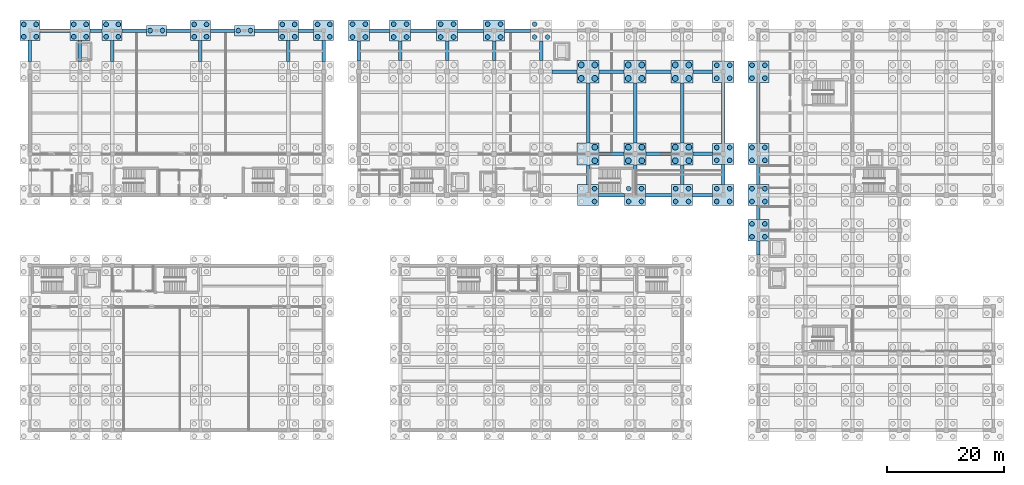
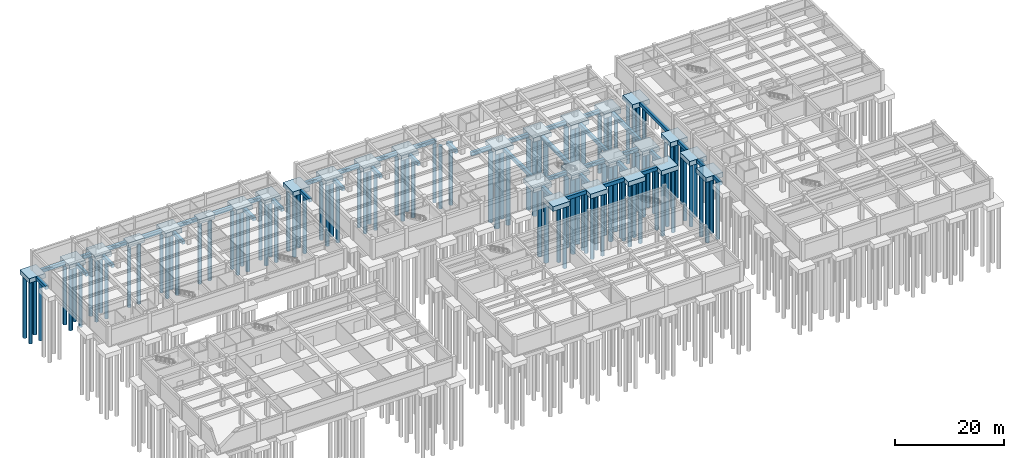
# One storey, part 5 of 28: 107 piles, 72 footings.
"""IFC4 building model written with IfcOpenShell, lengths in metres."""

import ifcopenshell
import ifcopenshell.guid

model = None  # the IFC model being written
_history = None  # IfcOwnerHistory: only IFC2X3 demands one
_inside = {}  # id of a spatial element -> (the spatial element, [elements in it])
_under = {}  # id of a project, library or spatial element -> (it, [spatial elements below it])
_declared = {}  # id of a project -> (the project, [libraries it declares])
_typed = {}  # id of a type object -> (the type object, [elements of that type])
_made_of = {}  # id of a material, layer set ... -> (it, [elements and type objects made of it])


def new_model(schema):
    """Start an empty IFC model of exactly this schema.

    Asked for "IFC4X3", IfcOpenShell would pick the latest addendum, in which some entities
    have other attributes; the version numbers below select the first issue.
    IFC2X3 requires an IfcOwnerHistory on every rooted entity: one is made here for all.
    """
    global model, _history
    if schema == "IFC4X3":
        model = ifcopenshell.file(schema_version=(4, 3, 0, 0))
    else:
        model = ifcopenshell.file(schema=schema)
    _inside.clear()
    _under.clear()
    _declared.clear()
    _typed.clear()
    _made_of.clear()
    _history = None
    if model.schema == "IFC2X3":
        org = make("IfcOrganization", Name="unknown")
        user = make(
            "IfcPersonAndOrganization",
            ThePerson=make("IfcPerson", FamilyName="unknown"),
            TheOrganization=org,
        )
        app = make(
            "IfcApplication",
            ApplicationDeveloper=org,
            Version="unknown",
            ApplicationFullName="unknown",
            ApplicationIdentifier="unknown",
        )
        _history = make(
            "IfcOwnerHistory",
            OwningUser=user,
            OwningApplication=app,
            ChangeAction="ADDED",
            CreationDate=0,
        )
    return model


def make(cls, **values):
    """One entity of the class cls with the attributes given. An attribute that is None is left unset."""
    return model.create_entity(
        cls, **{name: value for name, value in values.items() if value is not None}
    )


def rooted(cls, **values):
    """An entity with a GlobalId (a new one), such as an element, a storey or a relation."""
    return make(cls, GlobalId=ifcopenshell.guid.new(), OwnerHistory=_history, **values)


def si_unit(unit_type, name, prefix=None):
    """IfcSIUnit, for example si_unit("LENGTHUNIT", "METRE", prefix="MILLI")."""
    return make("IfcSIUnit", UnitType=unit_type, Prefix=prefix, Name=name)


def assignment(units):
    """IfcUnitAssignment: the units of a project."""
    return None if units is None else make("IfcUnitAssignment", Units=units)


def point(xyz):
    """IfcCartesianPoint."""
    return None if xyz is None else make("IfcCartesianPoint", Coordinates=xyz)


def direction(xyz):
    """IfcDirection."""
    return None if xyz is None else make("IfcDirection", DirectionRatios=xyz)


def frame(location, z_axis=None, x_axis=None):
    """IfcAxis2Placement3D, a coordinate frame: its origin and axes. An axis left out is left unset."""
    return make(
        "IfcAxis2Placement3D",
        Location=point(location),
        Axis=direction(z_axis),
        RefDirection=direction(x_axis),
    )


def frame_2d(location, x_axis=None):
    """IfcAxis2Placement2D, a coordinate frame in the plane: its origin and x axis."""
    return make(
        "IfcAxis2Placement2D", Location=point(location), RefDirection=direction(x_axis)
    )


def origin():
    """The frame at (0, 0, 0) with its axes left unset."""
    return frame((0.0, 0.0, 0.0))


def origin_2d():
    """The frame at (0, 0) in the plane with its x axis left unset."""
    return frame_2d((0.0, 0.0))


def place(relative_to, where):
    """IfcLocalPlacement: puts the frame where relative to a parent placement (None: the world)."""
    return make(
        "IfcLocalPlacement", PlacementRelTo=relative_to, RelativePlacement=where
    )


def context(
    kind, dimensions, precision=None, world=None, true_north=None, identifier=None
):
    """IfcGeometricRepresentationContext, for example the 3D "Model" context."""
    return make(
        "IfcGeometricRepresentationContext",
        ContextIdentifier=identifier,
        ContextType=kind,
        CoordinateSpaceDimension=dimensions,
        Precision=precision,
        WorldCoordinateSystem=world,
        TrueNorth=true_north,
    )


def subcontext(parent, identifier, kind, view, scale=None):
    """IfcGeometricRepresentationSubContext, for example "Body" below "Model"."""
    return make(
        "IfcGeometricRepresentationSubContext",
        ContextIdentifier=identifier,
        ContextType=kind,
        ParentContext=parent,
        TargetScale=scale,
        TargetView=view,
    )


def project(units=None, contexts=None):
    """IfcProject with its units and contexts."""
    return rooted(
        "IfcProject",
        Name="project",
        RepresentationContexts=contexts,
        UnitsInContext=assignment(units),
    )


def spatial(cls, under=None, at=None, **own):
    """A site, building, storey or space (cls), placed at a placement, below another one or the project."""
    s = rooted(cls, ObjectPlacement=at, **own)
    if under is not None:
        _under.setdefault(under.id(), (under, []))[1].append(s)
    return s


def profile(cls, at=None, kind="AREA", **sizes):
    """A parametric profile (cls). Its sizes go by their IFC names, for example OverallWidth=200.0."""
    return make(cls, ProfileType=kind, Position=at, **sizes)


def rectangle(**sizes):
    """IfcRectangleProfileDef."""
    return profile("IfcRectangleProfileDef", **sizes)


def circle(**sizes):
    """IfcCircleProfileDef."""
    return profile("IfcCircleProfileDef", **sizes)


def extrude(swept, where, along, depth):
    """IfcExtrudedAreaSolid: the profile swept, set in the frame where, extruded along a direction by depth."""
    return make(
        "IfcExtrudedAreaSolid",
        SweptArea=swept,
        Position=where,
        ExtrudedDirection=direction(along),
        Depth=depth,
    )


def shape(context_of_items, identifier, shape_type, items):
    """IfcShapeRepresentation: the items that make up one representation, for example the "Body"."""
    return make(
        "IfcShapeRepresentation",
        ContextOfItems=context_of_items,
        RepresentationIdentifier=identifier,
        RepresentationType=shape_type,
        Items=items,
    )


def material(Name=None, Category=None):
    """IfcMaterial."""
    return make("IfcMaterial", Name=Name, Category=Category)


def material_profile(
    of_material, cross_section, Name=None, Category=None, Priority=None
):
    """IfcMaterialProfile: a cross section and its material."""
    return make(
        "IfcMaterialProfile",
        Name=Name,
        Material=of_material,
        Profile=cross_section,
        Priority=Priority,
        Category=Category,
    )


def profile_set(profiles, Name=None, composite=None):
    """IfcMaterialProfileSet."""
    return make(
        "IfcMaterialProfileSet",
        Name=Name,
        MaterialProfiles=profiles,
        CompositeProfile=composite,
    )


def made_of(thing, what):
    """Note that an element or type object is made of a material, layer set ...; save() writes the relation."""
    if what is not None:
        _made_of.setdefault(what.id(), (what, []))[1].append(thing)
    return thing


def type_object(cls, material=None, **own):
    """A type object (cls), such as IfcWallType, which elements share."""
    return made_of(rooted(cls, **own), material)


def element(
    cls,
    number,
    at=None,
    inside=None,
    cuts=None,
    type_object=None,
    material=None,
    context=None,
    identifier="Body",
    shape_type=None,
    held_by="IfcProductDefinitionShape",
    body=None,
    shapes=None,
    **own,
):
    """One element of the class cls, such as IfcWall. Its Tag is "e" and its number.

    at: its placement. inside: the storey or other place that contains it. cuts: it is an
    opening in that element (IfcRelVoidsElement). A single representation is given by context,
    identifier, shape_type and body (its items); several are given by shapes. held_by: the class
    of the entity that holds the representations. save() writes the other relations.
    """
    e = rooted(cls, Tag="e%d" % number, ObjectPlacement=at, **own)
    if body is not None:
        shapes = [shape(context, identifier, shape_type, body)]
    if shapes is not None:
        e.Representation = make(held_by, Representations=shapes)
    if inside is not None:
        _inside.setdefault(inside.id(), (inside, []))[1].append(e)
    if cuts is not None:
        rooted(
            "IfcRelVoidsElement", RelatingBuildingElement=cuts, RelatedOpeningElement=e
        )
    if type_object is not None:
        _typed.setdefault(type_object.id(), (type_object, []))[1].append(e)
    return made_of(e, material)


def aggregate(whole, parts):
    """IfcRelAggregates: a whole, such as a stair, and the parts it consists of."""
    return rooted("IfcRelAggregates", RelatingObject=whole, RelatedObjects=parts)


def save(model, path):
    """Write the relations noted so far, then the file.

    IfcRelAggregates (storeys below a building ...), IfcRelContainedInSpatialStructure (elements
    in a storey), IfcRelDefinesByType, IfcRelAssociatesMaterial and IfcRelDeclares: one each for
    every whole, place, type object, material and project.
    """
    for whole, parts in _under.values():
        aggregate(whole, parts)
    for where, things in _inside.values():
        rooted(
            "IfcRelContainedInSpatialStructure",
            RelatedElements=things,
            RelatingStructure=where,
        )
    for kind, things in _typed.values():
        rooted("IfcRelDefinesByType", RelatedObjects=things, RelatingType=kind)
    for what, things in _made_of.values():
        rooted("IfcRelAssociatesMaterial", RelatedObjects=things, RelatingMaterial=what)
    for by, libraries in _declared.values():
        rooted("IfcRelDeclares", RelatingContext=by, RelatedDefinitions=libraries)
    model.write(path)


model = new_model("IFC4")

# Units and contexts
model_context = context("Model", 3, precision=1e-05, world=origin(), true_north=direction((0.0, 1.0)))
body_context = subcontext(model_context, "Body", "Model", "MODEL_VIEW")
ifc_project = project(units=[si_unit("LENGTHUNIT", "METRE"), si_unit("AREAUNIT", "SQUARE_METRE"), si_unit("VOLUMEUNIT", "CUBIC_METRE"), si_unit("PLANEANGLEUNIT", "RADIAN"), si_unit("MASSUNIT", "GRAM", prefix="KILO")], contexts=[model_context])

# Site, building, storey
site_placement = place(None, origin())
site = spatial("IfcSite", under=ifc_project, at=site_placement, CompositionType="ELEMENT")
building_placement = place(site_placement, origin())
building = spatial("IfcBuilding", under=site, at=building_placement, Name="Naurynzar Civic Courthouse", CompositionType="ELEMENT")
storey_placement = place(building_placement, frame((0.0, 0.0, -4.5)))
storey = spatial("IfcBuildingStorey", under=building, at=storey_placement, Name="B01", CompositionType="ELEMENT", Elevation=-4.5)

# Footings
ifc_material_1 = material(Name="Concrete C35/45", Category="concrete")
footing_type_1 = type_object("IfcFootingType", Name="CAP-2A-3400x1800", PredefinedType="PILE_CAP", material=ifc_material_1)
for number, where, z_axis, x_axis, name in (
    (1, (27.5, 72.0, -1.39990234375), (0.0, 0.0, 1.0), (1.0, 0.0, 0.0), "V1 pile cap 25"),
    (2, (42.5, 72.0, -1.39990234375), (0.0, 0.0, 1.0), (1.0, 0.0, 0.0), "V1 pile cap 26"),
):
    element("IfcFooting", number, at=place(storey_placement, frame(where, z_axis=z_axis, x_axis=x_axis)), inside=storey, type_object=footing_type_1, Name=name, PredefinedType="PILE_CAP", context=body_context, shape_type="SweptSolid", body=[
        extrude(rectangle(XDim=3.39990234375, YDim=1.800048828125, at=origin_2d()), origin(), (0.0, 0.0, 1.0), 1.0),
    ])
ifc_material_2 = material(Name="Concrete C35/45", Category="concrete")
footing_type_2 = type_object("IfcFootingType", Name="CAP-4A-3400", PredefinedType="PILE_CAP", material=ifc_material_2)
for number, where, z_axis, x_axis, name in (
    (3, (6.0, 72.0, -1.39990234375), (0.0, 0.0, 1.0), (1.0, 0.0, 0.0), "V1 pile cap 4"),
    (4, (14.5, 72.0, -1.39990234375), (0.0, 0.0, 1.0), (1.0, 0.0, 0.0), "V1 pile cap 8"),
    (5, (20.0, 72.0, -1.39990234375), (0.0, 0.0, 1.0), (1.0, 0.0, 0.0), "V1 pile cap 12"),
    (6, (35.0, 72.0, -1.39990234375), (0.0, 0.0, 1.0), (1.0, 0.0, 0.0), "V1 pile cap 16"),
    (7, (50.0, 72.0, -1.39990234375), (0.0, 0.0, 1.0), (1.0, 0.0, 0.0), "V1 pile cap 20"),
    (8, (56.0, 72.0, -1.39990234375), (0.0, 0.0, 1.0), (1.0, 0.0, 0.0), "V1 pile cap 24"),
):
    element("IfcFooting", number, at=place(storey_placement, frame(where, z_axis=z_axis, x_axis=x_axis)), inside=storey, type_object=footing_type_2, Name=name, PredefinedType="PILE_CAP", context=body_context, shape_type="SweptSolid", body=[
        extrude(rectangle(XDim=3.39990234375, YDim=3.39990234375, at=origin_2d()), origin(), (0.0, 0.0, 1.0), 1.0),
    ])
ifc_material_3 = material(Name="Concrete C35/45", Category="concrete")
footing_type_3 = type_object("IfcFootingType", Name="CAP-4B-3800", PredefinedType="PILE_CAP", material=ifc_material_3)
for number, where, z_axis, x_axis, name in (
    (9, (101.0, 51.0, -1.449951171875), (0.0, 0.0, 1.0), (1.0, 0.0, 0.0), "V2 pile cap 22"),
    (10, (101.0, 65.0, -1.449951171875), (0.0, 0.0, 1.0), (1.0, 0.0, 0.0), "V2 pile cap 23"),
    (11, (109.0, 51.0, -1.449951171875), (0.0, 0.0, 1.0), (1.0, 0.0, 0.0), "V2 pile cap 26"),
    (12, (109.0, 65.0, -1.449951171875), (0.0, 0.0, 1.0), (1.0, 0.0, 0.0), "V2 pile cap 27"),
    (13, (117.0, 51.0, -1.449951171875), (0.0, 0.0, 1.0), (1.0, 0.0, 0.0), "V2 pile cap 30"),
    (14, (117.0, 65.0, -1.449951171875), (0.0, 0.0, 1.0), (1.0, 0.0, 0.0), "V2 pile cap 31"),
):
    element("IfcFooting", number, at=place(storey_placement, frame(where, z_axis=z_axis, x_axis=x_axis)), inside=storey, type_object=footing_type_3, Name=name, PredefinedType="PILE_CAP", context=body_context, shape_type="SweptSolid", body=[
        extrude(rectangle(XDim=3.800048828125, YDim=3.800048828125, at=origin_2d()), origin(), (0.0, 0.0, 1.0), 1.0),
    ])
ifc_material_4 = material(Name="Concrete C35/45", Category="concrete")
footing_type_4 = type_object("IfcFootingType", Name="CAP-4C-3600", PredefinedType="PILE_CAP", material=ifc_material_4)
for number, where, z_axis, x_axis, name in (
    (15, (62.0, 72.0, -1.5), (0.0, 0.0, 1.0), (1.0, 0.0, 0.0), "V2 pile cap 4"),
    (16, (69.0, 72.0, -1.5), (0.0, 0.0, 1.0), (1.0, 0.0, 0.0), "V2 pile cap 8"),
    (17, (77.0, 72.0, -1.5), (0.0, 0.0, 1.0), (1.0, 0.0, 0.0), "V2 pile cap 12"),
    (18, (85.0, 72.0, -1.5), (0.0, 0.0, 1.0), (1.0, 0.0, 0.0), "V2 pile cap 16"),
    (19, (101.0, 44.0, -1.5), (0.0, 0.0, 1.0), (1.0, 0.0, 0.0), "V2 pile cap 21"),
    (20, (109.0, 44.0, -1.5), (0.0, 0.0, 1.0), (1.0, 0.0, 0.0), "V2 pile cap 25"),
    (21, (117.0, 44.0, -1.5), (0.0, 0.0, 1.0), (1.0, 0.0, 0.0), "V2 pile cap 29"),
    (22, (124.0, 44.0, -1.5), (0.0, 0.0, 1.0), (1.0, 0.0, 0.0), "V2 pile cap 33"),
    (23, (124.0, 51.0, -1.5), (0.0, 0.0, 1.0), (1.0, 0.0, 0.0), "V2 pile cap 34"),
    (24, (124.0, 65.0, -1.5), (0.0, 0.0, 1.0), (1.0, 0.0, 0.0), "V2 pile cap 35"),
    (25, (130.0, 38.0, -1.5), (0.0, 0.0, 1.0), (1.0, 0.0, 0.0), "V5 pile cap 6"),
    (26, (130.0, 44.0, -1.5), (0.0, 0.0, 1.0), (1.0, 0.0, 0.0), "V5 pile cap 7"),
    (27, (130.0, 51.0, -1.5), (0.0, 0.0, 1.0), (1.0, 0.0, 0.0), "V5 pile cap 8"),
    (28, (130.0, 65.0, -1.5), (0.0, 0.0, 1.0), (1.0, 0.0, 0.0), "V5 pile cap 9"),
):
    element("IfcFooting", number, at=place(storey_placement, frame(where, z_axis=z_axis, x_axis=x_axis)), inside=storey, type_object=footing_type_4, Name=name, PredefinedType="PILE_CAP", context=body_context, shape_type="SweptSolid", body=[
        extrude(rectangle(XDim=3.60009765625, YDim=3.60009765625, at=origin_2d()), origin(), (0.0, 0.0, 1.0), 1.050048828125),
    ])
ifc_material_5 = material(Name="Concrete C35/45", Category="concrete")
ifc_material_profile_1 = material_profile(ifc_material_5, rectangle(XDim=0.60009765625, YDim=0.800048828125, at=origin_2d()), Name="GB 600x800")
ifc_profile_set_1 = profile_set([ifc_material_profile_1], Name="Concrete C35/45")
footing_type_5 = type_object("IfcFootingType", Name="GB-600x800", PredefinedType="FOOTING_BEAM", material=ifc_profile_set_1)
footing_1_placement = place(storey_placement, frame((7.699951171875, 72.0, -0.800048828125), z_axis=(1.0, 0.0, 0.0), x_axis=(0.0, 1.0, 0.0)))
element("IfcFooting", 29, at=footing_1_placement, inside=storey, type_object=footing_type_5, Name="V1 ground tie beam X-16", PredefinedType="FOOTING_BEAM", context=body_context, shape_type="SweptSolid", body=[
    extrude(rectangle(XDim=0.60009765625, YDim=0.800048828125, at=origin_2d()), origin(), (0.0, 0.0, 1.0), 5.10009765625),
])
footing_2_placement = place(storey_placement, frame((16.199951171875, 72.0, -0.800048828125), z_axis=(1.0, 0.0, 0.0), x_axis=(0.0, 1.0, 0.0)))
element("IfcFooting", 30, at=footing_2_placement, inside=storey, type_object=footing_type_5, Name="V1 ground tie beam X-17", PredefinedType="FOOTING_BEAM", context=body_context, shape_type="SweptSolid", body=[
    extrude(rectangle(XDim=0.60009765625, YDim=0.800048828125, at=origin_2d()), origin(), (0.0, 0.0, 1.0), 2.10009765625),
])
for number, where, z_axis, x_axis, name in (
    (31, (21.699951171875, 72.0, -0.800048828125), (1.0, 0.0, 0.0), (0.0, 1.0, 0.0), "V1 ground tie beam X-18"),
    (32, (29.199951171875, 72.0, -0.800048828125), (1.0, 0.0, 0.0), (0.0, 1.0, 0.0), "V1 ground tie beam X-19"),
    (33, (36.699951171875, 72.0, -0.800048828125), (1.0, 0.0, 0.0), (0.0, 1.0, 0.0), "V1 ground tie beam X-20"),
    (34, (44.199951171875, 72.0, -0.800048828125), (1.0, 0.0, 0.0), (0.0, 1.0, 0.0), "V1 ground tie beam X-21"),
):
    element("IfcFooting", number, at=place(storey_placement, frame(where, z_axis=z_axis, x_axis=x_axis)), inside=storey, type_object=footing_type_5, Name=name, PredefinedType="FOOTING_BEAM", context=body_context, shape_type="SweptSolid", body=[
        extrude(rectangle(XDim=0.60009765625, YDim=0.800048828125, at=origin_2d()), origin(), (0.0, 0.0, 1.0), 4.10009765625),
    ])
footing_3_placement = place(storey_placement, frame((51.699951171875, 72.0, -0.800048828125), z_axis=(1.0, 0.0, 0.0), x_axis=(0.0, 1.0, 0.0)))
element("IfcFooting", 35, at=footing_3_placement, inside=storey, type_object=footing_type_5, Name="V1 ground tie beam X-22", PredefinedType="FOOTING_BEAM", context=body_context, shape_type="SweptSolid", body=[
    extrude(rectangle(XDim=0.60009765625, YDim=0.800048828125, at=origin_2d()), origin(), (0.0, 0.0, 1.0), 2.60009765625),
])
for number, where, z_axis, x_axis, name in (
    (36, (6.0, 66.699951171875, -0.800048828125), (0.0, 1.0, 0.0), (-1.0, 0.0, 0.0), "V1 ground tie beam Y-25"),
    (37, (14.5, 66.699951171875, -0.800048828125), (0.0, 1.0, 0.0), (-1.0, 0.0, 0.0), "V1 ground tie beam Y-28"),
    (38, (20.0, 66.699951171875, -0.800048828125), (0.0, 1.0, 0.0), (-1.0, 0.0, 0.0), "V1 ground tie beam Y-31"),
    (39, (35.0, 66.699951171875, -0.800048828125), (0.0, 1.0, 0.0), (-1.0, 0.0, 0.0), "V1 ground tie beam Y-34"),
    (40, (50.0, 66.699951171875, -0.800048828125), (0.0, 1.0, 0.0), (-1.0, 0.0, 0.0), "V1 ground tie beam Y-37"),
    (41, (56.0, 66.699951171875, -0.800048828125), (0.0, 1.0, 0.0), (-1.0, 0.0, 0.0), "V1 ground tie beam Y-40"),
):
    element("IfcFooting", number, at=place(storey_placement, frame(where, z_axis=z_axis, x_axis=x_axis)), inside=storey, type_object=footing_type_5, Name=name, PredefinedType="FOOTING_BEAM", context=body_context, shape_type="SweptSolid", body=[
        extrude(rectangle(XDim=0.60009765625, YDim=0.800048828125, at=origin_2d()), origin(), (0.0, 0.0, 1.0), 3.60009765625),
    ])
for number, where, z_axis, x_axis, name in (
    (42, (102.800048828125, 44.0, -0.85009765625), (1.0, 0.0, 0.0), (0.0, 1.0, 0.0), "V2 ground tie beam X-6"),
    (43, (110.800048828125, 44.0, -0.85009765625), (1.0, 0.0, 0.0), (0.0, 1.0, 0.0), "V2 ground tie beam X-7"),
):
    element("IfcFooting", number, at=place(storey_placement, frame(where, z_axis=z_axis, x_axis=x_axis)), inside=storey, type_object=footing_type_5, Name=name, PredefinedType="FOOTING_BEAM", context=body_context, shape_type="SweptSolid", body=[
        extrude(rectangle(XDim=0.60009765625, YDim=0.800048828125, at=origin_2d()), origin(), (0.0, 0.0, 1.0), 4.39990234375),
    ])
footing_4_placement = place(storey_placement, frame((118.800048828125, 44.0, -0.85009765625), z_axis=(1.0, 0.0, 0.0), x_axis=(0.0, 1.0, 0.0)))
element("IfcFooting", 44, at=footing_4_placement, inside=storey, type_object=footing_type_5, Name="V2 ground tie beam X-8", PredefinedType="FOOTING_BEAM", context=body_context, shape_type="SweptSolid", body=[
    extrude(rectangle(XDim=0.60009765625, YDim=0.800048828125, at=origin_2d()), origin(), (0.0, 0.0, 1.0), 3.39990234375),
])
for number, where, z_axis, x_axis, name in (
    (45, (102.89990234375, 51.0, -0.85009765625), (1.0, 0.0, 0.0), (0.0, 1.0, 0.0), "V2 ground tie beam X-14"),
    (46, (110.89990234375, 51.0, -0.85009765625), (1.0, 0.0, 0.0), (0.0, 1.0, 0.0), "V2 ground tie beam X-15"),
):
    element("IfcFooting", number, at=place(storey_placement, frame(where, z_axis=z_axis, x_axis=x_axis)), inside=storey, type_object=footing_type_5, Name=name, PredefinedType="FOOTING_BEAM", context=body_context, shape_type="SweptSolid", body=[
        extrude(rectangle(XDim=0.60009765625, YDim=0.800048828125, at=origin_2d()), origin(), (0.0, 0.0, 1.0), 4.2001953125),
    ])
footing_5_placement = place(storey_placement, frame((118.89990234375, 51.0, -0.85009765625), z_axis=(1.0, 0.0, 0.0), x_axis=(0.0, 1.0, 0.0)))
element("IfcFooting", 47, at=footing_5_placement, inside=storey, type_object=footing_type_5, Name="V2 ground tie beam X-16", PredefinedType="FOOTING_BEAM", context=body_context, shape_type="SweptSolid", body=[
    extrude(rectangle(XDim=0.60009765625, YDim=0.800048828125, at=origin_2d()), origin(), (0.0, 0.0, 1.0), 3.300048828125),
])
for number, where, z_axis, x_axis, name in (
    (48, (94.89990234375, 65.0, -0.85009765625), (1.0, 0.0, 0.0), (0.0, 1.0, 0.0), "V2 ground tie beam X-21"),
    (49, (102.89990234375, 65.0, -0.85009765625), (1.0, 0.0, 0.0), (0.0, 1.0, 0.0), "V2 ground tie beam X-22"),
    (50, (110.89990234375, 65.0, -0.85009765625), (1.0, 0.0, 0.0), (0.0, 1.0, 0.0), "V2 ground tie beam X-23"),
):
    element("IfcFooting", number, at=place(storey_placement, frame(where, z_axis=z_axis, x_axis=x_axis)), inside=storey, type_object=footing_type_5, Name=name, PredefinedType="FOOTING_BEAM", context=body_context, shape_type="SweptSolid", body=[
        extrude(rectangle(XDim=0.60009765625, YDim=0.800048828125, at=origin_2d()), origin(), (0.0, 0.0, 1.0), 4.2001953125),
    ])
footing_6_placement = place(storey_placement, frame((118.89990234375, 65.0, -0.85009765625), z_axis=(1.0, 0.0, 0.0), x_axis=(0.0, 1.0, 0.0)))
element("IfcFooting", 51, at=footing_6_placement, inside=storey, type_object=footing_type_5, Name="V2 ground tie beam X-24", PredefinedType="FOOTING_BEAM", context=body_context, shape_type="SweptSolid", body=[
    extrude(rectangle(XDim=0.60009765625, YDim=0.800048828125, at=origin_2d()), origin(), (0.0, 0.0, 1.0), 3.300048828125),
])
footing_7_placement = place(storey_placement, frame((63.800048828125, 72.0, -0.85009765625), z_axis=(1.0, 0.0, 0.0), x_axis=(0.0, 1.0, 0.0)))
element("IfcFooting", 52, at=footing_7_placement, inside=storey, type_object=footing_type_5, Name="V2 ground tie beam X-25", PredefinedType="FOOTING_BEAM", context=body_context, shape_type="SweptSolid", body=[
    extrude(rectangle(XDim=0.60009765625, YDim=0.800048828125, at=origin_2d()), origin(), (0.0, 0.0, 1.0), 3.39990234375),
])
for number, where, z_axis, x_axis, name in (
    (53, (70.800048828125, 72.0, -0.85009765625), (1.0, 0.0, 0.0), (0.0, 1.0, 0.0), "V2 ground tie beam X-26"),
    (54, (78.800048828125, 72.0, -0.85009765625), (1.0, 0.0, 0.0), (0.0, 1.0, 0.0), "V2 ground tie beam X-27"),
    (55, (86.800048828125, 72.0, -0.85009765625), (1.0, 0.0, 0.0), (0.0, 1.0, 0.0), "V2 ground tie beam X-28"),
):
    element("IfcFooting", number, at=place(storey_placement, frame(where, z_axis=z_axis, x_axis=x_axis)), inside=storey, type_object=footing_type_5, Name=name, PredefinedType="FOOTING_BEAM", context=body_context, shape_type="SweptSolid", body=[
        extrude(rectangle(XDim=0.60009765625, YDim=0.800048828125, at=origin_2d()), origin(), (0.0, 0.0, 1.0), 4.39990234375),
    ])
footing_8_placement = place(storey_placement, frame((62.0, 66.800048828125, -0.85009765625), z_axis=(0.0, 1.0, 0.0), x_axis=(-1.0, 0.0, 0.0)))
element("IfcFooting", 56, at=footing_8_placement, inside=storey, type_object=footing_type_5, Name="V2 ground tie beam Y-35", PredefinedType="FOOTING_BEAM", context=body_context, shape_type="SweptSolid", body=[
    extrude(rectangle(XDim=0.60009765625, YDim=0.800048828125, at=origin_2d()), origin(), (0.0, 0.0, 1.0), 3.39990234375),
])
for number, where, z_axis, x_axis, name in (
    (57, (69.0, 66.89990234375, -0.85009765625), (0.0, 1.0, 0.0), (-1.0, 0.0, 0.0), "V2 ground tie beam Y-38"),
    (58, (77.0, 66.89990234375, -0.85009765625), (0.0, 1.0, 0.0), (-1.0, 0.0, 0.0), "V2 ground tie beam Y-41"),
    (59, (85.0, 66.89990234375, -0.85009765625), (0.0, 1.0, 0.0), (-1.0, 0.0, 0.0), "V2 ground tie beam Y-44"),
    (60, (93.0, 66.89990234375, -0.85009765625), (0.0, 1.0, 0.0), (-1.0, 0.0, 0.0), "V2 ground tie beam Y-47"),
    (61, (101.0, 45.800048828125, -0.85009765625), (0.0, 1.0, 0.0), (-1.0, 0.0, 0.0), "V2 ground tie beam Y-48"),
):
    element("IfcFooting", number, at=place(storey_placement, frame(where, z_axis=z_axis, x_axis=x_axis)), inside=storey, type_object=footing_type_5, Name=name, PredefinedType="FOOTING_BEAM", context=body_context, shape_type="SweptSolid", body=[
        extrude(rectangle(XDim=0.60009765625, YDim=0.800048828125, at=origin_2d()), origin(), (0.0, 0.0, 1.0), 3.300048828125),
    ])
footing_9_placement = place(storey_placement, frame((101.0, 52.89990234375, -0.85009765625), z_axis=(0.0, 1.0, 0.0), x_axis=(-1.0, 0.0, 0.0)))
element("IfcFooting", 62, at=footing_9_placement, inside=storey, type_object=footing_type_5, Name="V2 ground tie beam Y-49", PredefinedType="FOOTING_BEAM", context=body_context, shape_type="SweptSolid", body=[
    extrude(rectangle(XDim=0.60009765625, YDim=0.800048828125, at=origin_2d()), origin(), (0.0, 0.0, 1.0), 10.2001953125),
])
footing_10_placement = place(storey_placement, frame((109.0, 45.800048828125, -0.85009765625), z_axis=(0.0, 1.0, 0.0), x_axis=(-1.0, 0.0, 0.0)))
element("IfcFooting", 63, at=footing_10_placement, inside=storey, type_object=footing_type_5, Name="V2 ground tie beam Y-51", PredefinedType="FOOTING_BEAM", context=body_context, shape_type="SweptSolid", body=[
    extrude(rectangle(XDim=0.60009765625, YDim=0.800048828125, at=origin_2d()), origin(), (0.0, 0.0, 1.0), 3.300048828125),
])
footing_11_placement = place(storey_placement, frame((109.0, 52.89990234375, -0.85009765625), z_axis=(0.0, 1.0, 0.0), x_axis=(-1.0, 0.0, 0.0)))
element("IfcFooting", 64, at=footing_11_placement, inside=storey, type_object=footing_type_5, Name="V2 ground tie beam Y-52", PredefinedType="FOOTING_BEAM", context=body_context, shape_type="SweptSolid", body=[
    extrude(rectangle(XDim=0.60009765625, YDim=0.800048828125, at=origin_2d()), origin(), (0.0, 0.0, 1.0), 10.2001953125),
])
footing_12_placement = place(storey_placement, frame((117.0, 45.800048828125, -0.85009765625), z_axis=(0.0, 1.0, 0.0), x_axis=(-1.0, 0.0, 0.0)))
element("IfcFooting", 65, at=footing_12_placement, inside=storey, type_object=footing_type_5, Name="V2 ground tie beam Y-54", PredefinedType="FOOTING_BEAM", context=body_context, shape_type="SweptSolid", body=[
    extrude(rectangle(XDim=0.60009765625, YDim=0.800048828125, at=origin_2d()), origin(), (0.0, 0.0, 1.0), 3.300048828125),
])
footing_13_placement = place(storey_placement, frame((117.0, 52.89990234375, -0.85009765625), z_axis=(0.0, 1.0, 0.0), x_axis=(-1.0, 0.0, 0.0)))
element("IfcFooting", 66, at=footing_13_placement, inside=storey, type_object=footing_type_5, Name="V2 ground tie beam Y-55", PredefinedType="FOOTING_BEAM", context=body_context, shape_type="SweptSolid", body=[
    extrude(rectangle(XDim=0.60009765625, YDim=0.800048828125, at=origin_2d()), origin(), (0.0, 0.0, 1.0), 10.2001953125),
])
footing_14_placement = place(storey_placement, frame((124.0, 45.800048828125, -0.85009765625), z_axis=(0.0, 1.0, 0.0), x_axis=(-1.0, 0.0, 0.0)))
element("IfcFooting", 67, at=footing_14_placement, inside=storey, type_object=footing_type_5, Name="V2 ground tie beam Y-57", PredefinedType="FOOTING_BEAM", context=body_context, shape_type="SweptSolid", body=[
    extrude(rectangle(XDim=0.60009765625, YDim=0.800048828125, at=origin_2d()), origin(), (0.0, 0.0, 1.0), 3.39990234375),
])
footing_15_placement = place(storey_placement, frame((124.0, 52.800048828125, -0.85009765625), z_axis=(0.0, 1.0, 0.0), x_axis=(-1.0, 0.0, 0.0)))
element("IfcFooting", 68, at=footing_15_placement, inside=storey, type_object=footing_type_5, Name="V2 ground tie beam Y-58", PredefinedType="FOOTING_BEAM", context=body_context, shape_type="SweptSolid", body=[
    extrude(rectangle(XDim=0.60009765625, YDim=0.800048828125, at=origin_2d()), origin(), (0.0, 0.0, 1.0), 10.39990234375),
])
for number, where, z_axis, x_axis, name in (
    (69, (130.0, 33.800048828125, -0.85009765625), (0.0, 1.0, 0.0), (-1.0, 0.0, 0.0), "V5 ground tie beam Y-51"),
    (70, (130.0, 39.800048828125, -0.85009765625), (0.0, 1.0, 0.0), (-1.0, 0.0, 0.0), "V5 ground tie beam Y-52"),
):
    element("IfcFooting", number, at=place(storey_placement, frame(where, z_axis=z_axis, x_axis=x_axis)), inside=storey, type_object=footing_type_5, Name=name, PredefinedType="FOOTING_BEAM", context=body_context, shape_type="SweptSolid", body=[
        extrude(rectangle(XDim=0.60009765625, YDim=0.800048828125, at=origin_2d()), origin(), (0.0, 0.0, 1.0), 2.39990234375),
    ])
footing_16_placement = place(storey_placement, frame((130.0, 45.800048828125, -0.85009765625), z_axis=(0.0, 1.0, 0.0), x_axis=(-1.0, 0.0, 0.0)))
element("IfcFooting", 71, at=footing_16_placement, inside=storey, type_object=footing_type_5, Name="V5 ground tie beam Y-53", PredefinedType="FOOTING_BEAM", context=body_context, shape_type="SweptSolid", body=[
    extrude(rectangle(XDim=0.60009765625, YDim=0.800048828125, at=origin_2d()), origin(), (0.0, 0.0, 1.0), 3.39990234375),
])
footing_17_placement = place(storey_placement, frame((130.0, 52.800048828125, -0.85009765625), z_axis=(0.0, 1.0, 0.0), x_axis=(-1.0, 0.0, 0.0)))
element("IfcFooting", 72, at=footing_17_placement, inside=storey, type_object=footing_type_5, Name="V5 ground tie beam Y-54", PredefinedType="FOOTING_BEAM", context=body_context, shape_type="SweptSolid", body=[
    extrude(rectangle(XDim=0.60009765625, YDim=0.800048828125, at=origin_2d()), origin(), (0.0, 0.0, 1.0), 10.39990234375),
])

# Piles
ifc_material_6 = material(Name="Concrete C35/45", Category="concrete")
ifc_material_profile_2 = material_profile(ifc_material_6, circle(Radius=0.5, at=origin_2d()), Name="PILE D1000")
ifc_profile_set_2 = profile_set([ifc_material_profile_2], Name="Concrete C35/45")
pile_type_1 = type_object("IfcPileType", Name="PILE-BORED-D1000", PredefinedType="BORED", material=ifc_profile_set_2)
for number, where, z_axis, x_axis, name in (
    (73, (102.14990234375, 49.85009765625, -1.449951171875), (0.0, 0.0, -1.0), (1.0, 0.0, 0.0), "V2 bored pile 22.2"),
    (74, (102.14990234375, 52.14990234375, -1.449951171875), (0.0, 0.0, -1.0), (1.0, 0.0, 0.0), "V2 bored pile 22.4"),
    (75, (99.85009765625, 63.85009765625, -1.449951171875), (0.0, 0.0, -1.0), (1.0, 0.0, 0.0), "V2 bored pile 23.1"),
    (76, (102.14990234375, 63.85009765625, -1.449951171875), (0.0, 0.0, -1.0), (1.0, 0.0, 0.0), "V2 bored pile 23.2"),
    (77, (99.85009765625, 66.14990234375, -1.449951171875), (0.0, 0.0, -1.0), (1.0, 0.0, 0.0), "V2 bored pile 23.3"),
    (78, (102.14990234375, 66.14990234375, -1.449951171875), (0.0, 0.0, -1.0), (1.0, 0.0, 0.0), "V2 bored pile 23.4"),
    (79, (107.85009765625, 49.85009765625, -1.449951171875), (0.0, 0.0, -1.0), (1.0, 0.0, 0.0), "V2 bored pile 26.1"),
    (80, (110.14990234375, 49.85009765625, -1.449951171875), (0.0, 0.0, -1.0), (1.0, 0.0, 0.0), "V2 bored pile 26.2"),
    (81, (107.85009765625, 52.14990234375, -1.449951171875), (0.0, 0.0, -1.0), (1.0, 0.0, 0.0), "V2 bored pile 26.3"),
    (82, (110.14990234375, 52.14990234375, -1.449951171875), (0.0, 0.0, -1.0), (1.0, 0.0, 0.0), "V2 bored pile 26.4"),
    (83, (107.85009765625, 63.85009765625, -1.449951171875), (0.0, 0.0, -1.0), (1.0, 0.0, 0.0), "V2 bored pile 27.1"),
    (84, (110.14990234375, 63.85009765625, -1.449951171875), (0.0, 0.0, -1.0), (1.0, 0.0, 0.0), "V2 bored pile 27.2"),
    (85, (107.85009765625, 66.14990234375, -1.449951171875), (0.0, 0.0, -1.0), (1.0, 0.0, 0.0), "V2 bored pile 27.3"),
    (86, (110.14990234375, 66.14990234375, -1.449951171875), (0.0, 0.0, -1.0), (1.0, 0.0, 0.0), "V2 bored pile 27.4"),
    (87, (115.85009765625, 49.85009765625, -1.449951171875), (0.0, 0.0, -1.0), (1.0, 0.0, 0.0), "V2 bored pile 30.1"),
    (88, (118.14990234375, 49.85009765625, -1.449951171875), (0.0, 0.0, -1.0), (1.0, 0.0, 0.0), "V2 bored pile 30.2"),
    (89, (115.85009765625, 52.14990234375, -1.449951171875), (0.0, 0.0, -1.0), (1.0, 0.0, 0.0), "V2 bored pile 30.3"),
    (90, (118.14990234375, 52.14990234375, -1.449951171875), (0.0, 0.0, -1.0), (1.0, 0.0, 0.0), "V2 bored pile 30.4"),
    (91, (115.85009765625, 63.85009765625, -1.449951171875), (0.0, 0.0, -1.0), (1.0, 0.0, 0.0), "V2 bored pile 31.1"),
    (92, (118.14990234375, 63.85009765625, -1.449951171875), (0.0, 0.0, -1.0), (1.0, 0.0, 0.0), "V2 bored pile 31.2"),
    (93, (115.85009765625, 66.14990234375, -1.449951171875), (0.0, 0.0, -1.0), (1.0, 0.0, 0.0), "V2 bored pile 31.3"),
    (94, (118.14990234375, 66.14990234375, -1.449951171875), (0.0, 0.0, -1.0), (1.0, 0.0, 0.0), "V2 bored pile 31.4"),
):
    element("IfcPile", number, at=place(storey_placement, frame(where, z_axis=z_axis, x_axis=x_axis)), inside=storey, type_object=pile_type_1, Name=name, PredefinedType="BORED", context=body_context, shape_type="SweptSolid", body=[
        extrude(circle(Radius=0.5, at=origin_2d()), origin(), (0.0, 0.0, 1.0), 17.0),
    ])
ifc_material_7 = material(Name="Concrete C35/45", Category="concrete")
ifc_material_profile_3 = material_profile(ifc_material_7, circle(Radius=0.39990234375, at=origin_2d()), Name="PILE D800")
ifc_profile_set_3 = profile_set([ifc_material_profile_3], Name="Concrete C35/45")
pile_type_2 = type_object("IfcPileType", Name="PILE-BORED-D800", PredefinedType="BORED", material=ifc_profile_set_3)
for number, where, z_axis, x_axis, name in (
    (95, (4.949951171875, 70.949951171875, -1.39990234375), (0.0, 0.0, -1.0), (1.0, 0.0, 0.0), "V1 bored pile 4.1"),
    (96, (7.050048828125, 70.949951171875, -1.39990234375), (0.0, 0.0, -1.0), (1.0, 0.0, 0.0), "V1 bored pile 4.2"),
    (97, (4.949951171875, 73.050048828125, -1.39990234375), (0.0, 0.0, -1.0), (1.0, 0.0, 0.0), "V1 bored pile 4.3"),
    (98, (7.050048828125, 73.050048828125, -1.39990234375), (0.0, 0.0, -1.0), (1.0, 0.0, 0.0), "V1 bored pile 4.4"),
    (99, (13.449951171875, 70.949951171875, -1.39990234375), (0.0, 0.0, -1.0), (1.0, 0.0, 0.0), "V1 bored pile 8.1"),
    (100, (15.550048828125, 70.949951171875, -1.39990234375), (0.0, 0.0, -1.0), (1.0, 0.0, 0.0), "V1 bored pile 8.2"),
    (101, (13.449951171875, 73.050048828125, -1.39990234375), (0.0, 0.0, -1.0), (1.0, 0.0, 0.0), "V1 bored pile 8.3"),
    (102, (15.550048828125, 73.050048828125, -1.39990234375), (0.0, 0.0, -1.0), (1.0, 0.0, 0.0), "V1 bored pile 8.4"),
    (103, (18.949951171875, 70.949951171875, -1.39990234375), (0.0, 0.0, -1.0), (1.0, 0.0, 0.0), "V1 bored pile 12.1"),
    (104, (21.050048828125, 70.949951171875, -1.39990234375), (0.0, 0.0, -1.0), (1.0, 0.0, 0.0), "V1 bored pile 12.2"),
    (105, (18.949951171875, 73.050048828125, -1.39990234375), (0.0, 0.0, -1.0), (1.0, 0.0, 0.0), "V1 bored pile 12.3"),
    (106, (21.050048828125, 73.050048828125, -1.39990234375), (0.0, 0.0, -1.0), (1.0, 0.0, 0.0), "V1 bored pile 12.4"),
    (107, (33.949951171875, 70.949951171875, -1.39990234375), (0.0, 0.0, -1.0), (1.0, 0.0, 0.0), "V1 bored pile 16.1"),
    (108, (36.050048828125, 70.949951171875, -1.39990234375), (0.0, 0.0, -1.0), (1.0, 0.0, 0.0), "V1 bored pile 16.2"),
    (109, (33.949951171875, 73.050048828125, -1.39990234375), (0.0, 0.0, -1.0), (1.0, 0.0, 0.0), "V1 bored pile 16.3"),
    (110, (36.050048828125, 73.050048828125, -1.39990234375), (0.0, 0.0, -1.0), (1.0, 0.0, 0.0), "V1 bored pile 16.4"),
    (111, (48.949951171875, 70.949951171875, -1.39990234375), (0.0, 0.0, -1.0), (1.0, 0.0, 0.0), "V1 bored pile 20.1"),
    (112, (51.050048828125, 70.949951171875, -1.39990234375), (0.0, 0.0, -1.0), (1.0, 0.0, 0.0), "V1 bored pile 20.2"),
    (113, (48.949951171875, 73.050048828125, -1.39990234375), (0.0, 0.0, -1.0), (1.0, 0.0, 0.0), "V1 bored pile 20.3"),
    (114, (51.050048828125, 73.050048828125, -1.39990234375), (0.0, 0.0, -1.0), (1.0, 0.0, 0.0), "V1 bored pile 20.4"),
    (115, (54.949951171875, 70.949951171875, -1.39990234375), (0.0, 0.0, -1.0), (1.0, 0.0, 0.0), "V1 bored pile 24.1"),
    (116, (57.050048828125, 70.949951171875, -1.39990234375), (0.0, 0.0, -1.0), (1.0, 0.0, 0.0), "V1 bored pile 24.2"),
    (117, (54.949951171875, 73.050048828125, -1.39990234375), (0.0, 0.0, -1.0), (1.0, 0.0, 0.0), "V1 bored pile 24.3"),
    (118, (57.050048828125, 73.050048828125, -1.39990234375), (0.0, 0.0, -1.0), (1.0, 0.0, 0.0), "V1 bored pile 24.4"),
    (119, (26.449951171875, 72.0, -1.39990234375), (0.0, 0.0, -1.0), (1.0, 0.0, 0.0), "V1 bored pile 25.1"),
    (120, (28.550048828125, 72.0, -1.39990234375), (0.0, 0.0, -1.0), (1.0, 0.0, 0.0), "V1 bored pile 25.2"),
    (121, (41.449951171875, 72.0, -1.39990234375), (0.0, 0.0, -1.0), (1.0, 0.0, 0.0), "V1 bored pile 26.1"),
    (122, (43.550048828125, 72.0, -1.39990234375), (0.0, 0.0, -1.0), (1.0, 0.0, 0.0), "V1 bored pile 26.2"),
    (123, (60.89990234375, 70.89990234375, -1.5), (0.0, 0.0, -1.0), (1.0, 0.0, 0.0), "V2 bored pile 4.1"),
    (124, (63.10009765625, 70.89990234375, -1.5), (0.0, 0.0, -1.0), (1.0, 0.0, 0.0), "V2 bored pile 4.2"),
    (125, (60.89990234375, 73.10009765625, -1.5), (0.0, 0.0, -1.0), (1.0, 0.0, 0.0), "V2 bored pile 4.3"),
    (126, (63.10009765625, 73.10009765625, -1.5), (0.0, 0.0, -1.0), (1.0, 0.0, 0.0), "V2 bored pile 4.4"),
    (127, (67.89990234375, 70.89990234375, -1.5), (0.0, 0.0, -1.0), (1.0, 0.0, 0.0), "V2 bored pile 8.1"),
    (128, (70.10009765625, 70.89990234375, -1.5), (0.0, 0.0, -1.0), (1.0, 0.0, 0.0), "V2 bored pile 8.2"),
    (129, (67.89990234375, 73.10009765625, -1.5), (0.0, 0.0, -1.0), (1.0, 0.0, 0.0), "V2 bored pile 8.3"),
    (130, (70.10009765625, 73.10009765625, -1.5), (0.0, 0.0, -1.0), (1.0, 0.0, 0.0), "V2 bored pile 8.4"),
    (131, (75.89990234375, 70.89990234375, -1.5), (0.0, 0.0, -1.0), (1.0, 0.0, 0.0), "V2 bored pile 12.1"),
    (132, (78.10009765625, 70.89990234375, -1.5), (0.0, 0.0, -1.0), (1.0, 0.0, 0.0), "V2 bored pile 12.2"),
    (133, (75.89990234375, 73.10009765625, -1.5), (0.0, 0.0, -1.0), (1.0, 0.0, 0.0), "V2 bored pile 12.3"),
    (134, (78.10009765625, 73.10009765625, -1.5), (0.0, 0.0, -1.0), (1.0, 0.0, 0.0), "V2 bored pile 12.4"),
    (135, (83.89990234375, 70.89990234375, -1.5), (0.0, 0.0, -1.0), (1.0, 0.0, 0.0), "V2 bored pile 16.1"),
    (136, (86.10009765625, 70.89990234375, -1.5), (0.0, 0.0, -1.0), (1.0, 0.0, 0.0), "V2 bored pile 16.2"),
    (137, (83.89990234375, 73.10009765625, -1.5), (0.0, 0.0, -1.0), (1.0, 0.0, 0.0), "V2 bored pile 16.3"),
    (138, (86.10009765625, 73.10009765625, -1.5), (0.0, 0.0, -1.0), (1.0, 0.0, 0.0), "V2 bored pile 16.4"),
    (139, (91.89990234375, 70.89990234375, -1.5), (0.0, 0.0, -1.0), (1.0, 0.0, 0.0), "V2 bored pile 20.1"),
    (140, (94.10009765625, 70.89990234375, -1.5), (0.0, 0.0, -1.0), (1.0, 0.0, 0.0), "V2 bored pile 20.2"),
    (141, (91.89990234375, 73.10009765625, -1.5), (0.0, 0.0, -1.0), (1.0, 0.0, 0.0), "V2 bored pile 20.3"),
    (142, (102.10009765625, 42.89990234375, -1.5), (0.0, 0.0, -1.0), (1.0, 0.0, 0.0), "V2 bored pile 21.2"),
    (143, (102.10009765625, 45.10009765625, -1.5), (0.0, 0.0, -1.0), (1.0, 0.0, 0.0), "V2 bored pile 21.4"),
    (144, (107.89990234375, 42.89990234375, -1.5), (0.0, 0.0, -1.0), (1.0, 0.0, 0.0), "V2 bored pile 25.1"),
    (145, (110.10009765625, 42.89990234375, -1.5), (0.0, 0.0, -1.0), (1.0, 0.0, 0.0), "V2 bored pile 25.2"),
    (146, (107.89990234375, 45.10009765625, -1.5), (0.0, 0.0, -1.0), (1.0, 0.0, 0.0), "V2 bored pile 25.3"),
    (147, (110.10009765625, 45.10009765625, -1.5), (0.0, 0.0, -1.0), (1.0, 0.0, 0.0), "V2 bored pile 25.4"),
    (148, (115.89990234375, 42.89990234375, -1.5), (0.0, 0.0, -1.0), (1.0, 0.0, 0.0), "V2 bored pile 29.1"),
    (149, (118.10009765625, 42.89990234375, -1.5), (0.0, 0.0, -1.0), (1.0, 0.0, 0.0), "V2 bored pile 29.2"),
    (150, (115.89990234375, 45.10009765625, -1.5), (0.0, 0.0, -1.0), (1.0, 0.0, 0.0), "V2 bored pile 29.3"),
    (151, (118.10009765625, 45.10009765625, -1.5), (0.0, 0.0, -1.0), (1.0, 0.0, 0.0), "V2 bored pile 29.4"),
    (152, (122.89990234375, 42.89990234375, -1.5), (0.0, 0.0, -1.0), (1.0, 0.0, 0.0), "V2 bored pile 33.1"),
    (153, (125.10009765625, 42.89990234375, -1.5), (0.0, 0.0, -1.0), (1.0, 0.0, 0.0), "V2 bored pile 33.2"),
    (154, (122.89990234375, 45.10009765625, -1.5), (0.0, 0.0, -1.0), (1.0, 0.0, 0.0), "V2 bored pile 33.3"),
    (155, (125.10009765625, 45.10009765625, -1.5), (0.0, 0.0, -1.0), (1.0, 0.0, 0.0), "V2 bored pile 33.4"),
    (156, (122.89990234375, 49.89990234375, -1.5), (0.0, 0.0, -1.0), (1.0, 0.0, 0.0), "V2 bored pile 34.1"),
    (157, (125.10009765625, 49.89990234375, -1.5), (0.0, 0.0, -1.0), (1.0, 0.0, 0.0), "V2 bored pile 34.2"),
    (158, (122.89990234375, 52.10009765625, -1.5), (0.0, 0.0, -1.0), (1.0, 0.0, 0.0), "V2 bored pile 34.3"),
    (159, (125.10009765625, 52.10009765625, -1.5), (0.0, 0.0, -1.0), (1.0, 0.0, 0.0), "V2 bored pile 34.4"),
    (160, (122.89990234375, 63.89990234375, -1.5), (0.0, 0.0, -1.0), (1.0, 0.0, 0.0), "V2 bored pile 35.1"),
    (161, (125.10009765625, 63.89990234375, -1.5), (0.0, 0.0, -1.0), (1.0, 0.0, 0.0), "V2 bored pile 35.2"),
    (162, (122.89990234375, 66.10009765625, -1.5), (0.0, 0.0, -1.0), (1.0, 0.0, 0.0), "V2 bored pile 35.3"),
    (163, (125.10009765625, 66.10009765625, -1.5), (0.0, 0.0, -1.0), (1.0, 0.0, 0.0), "V2 bored pile 35.4"),
    (164, (128.89990234375, 36.89990234375, -1.5), (0.0, 0.0, -1.0), (1.0, 0.0, 0.0), "V5 bored pile 6.1"),
    (165, (131.10009765625, 36.89990234375, -1.5), (0.0, 0.0, -1.0), (1.0, 0.0, 0.0), "V5 bored pile 6.2"),
    (166, (128.89990234375, 39.10009765625, -1.5), (0.0, 0.0, -1.0), (1.0, 0.0, 0.0), "V5 bored pile 6.3"),
    (167, (131.10009765625, 39.10009765625, -1.5), (0.0, 0.0, -1.0), (1.0, 0.0, 0.0), "V5 bored pile 6.4"),
    (168, (128.89990234375, 42.89990234375, -1.5), (0.0, 0.0, -1.0), (1.0, 0.0, 0.0), "V5 bored pile 7.1"),
    (169, (131.10009765625, 42.89990234375, -1.5), (0.0, 0.0, -1.0), (1.0, 0.0, 0.0), "V5 bored pile 7.2"),
    (170, (128.89990234375, 45.10009765625, -1.5), (0.0, 0.0, -1.0), (1.0, 0.0, 0.0), "V5 bored pile 7.3"),
    (171, (131.10009765625, 45.10009765625, -1.5), (0.0, 0.0, -1.0), (1.0, 0.0, 0.0), "V5 bored pile 7.4"),
    (172, (128.89990234375, 49.89990234375, -1.5), (0.0, 0.0, -1.0), (1.0, 0.0, 0.0), "V5 bored pile 8.1"),
    (173, (131.10009765625, 49.89990234375, -1.5), (0.0, 0.0, -1.0), (1.0, 0.0, 0.0), "V5 bored pile 8.2"),
    (174, (128.89990234375, 52.10009765625, -1.5), (0.0, 0.0, -1.0), (1.0, 0.0, 0.0), "V5 bored pile 8.3"),
    (175, (131.10009765625, 52.10009765625, -1.5), (0.0, 0.0, -1.0), (1.0, 0.0, 0.0), "V5 bored pile 8.4"),
    (176, (128.89990234375, 63.89990234375, -1.5), (0.0, 0.0, -1.0), (1.0, 0.0, 0.0), "V5 bored pile 9.1"),
    (177, (131.10009765625, 63.89990234375, -1.5), (0.0, 0.0, -1.0), (1.0, 0.0, 0.0), "V5 bored pile 9.2"),
    (178, (128.89990234375, 66.10009765625, -1.5), (0.0, 0.0, -1.0), (1.0, 0.0, 0.0), "V5 bored pile 9.3"),
    (179, (131.10009765625, 66.10009765625, -1.5), (0.0, 0.0, -1.0), (1.0, 0.0, 0.0), "V5 bored pile 9.4"),
):
    element("IfcPile", number, at=place(storey_placement, frame(where, z_axis=z_axis, x_axis=x_axis)), inside=storey, type_object=pile_type_2, Name=name, PredefinedType="BORED", context=body_context, shape_type="SweptSolid", body=[
        extrude(circle(Radius=0.39990234375, at=origin_2d()), origin(), (0.0, 0.0, 1.0), 14.0),
    ])

save(model, "model.ifc")
